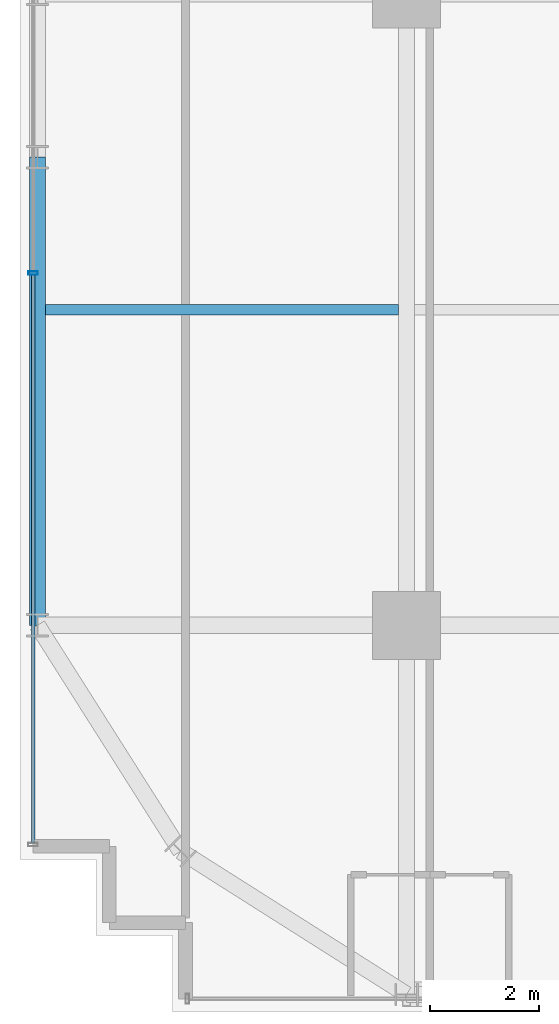
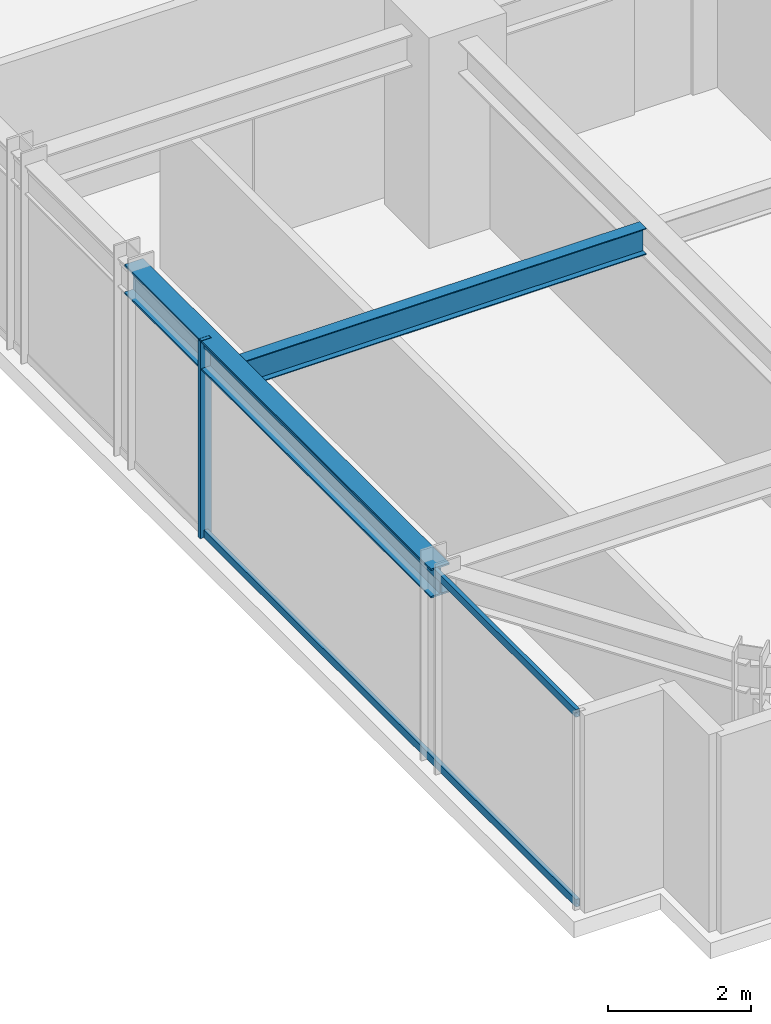
# One storey, part 4 of 34: 3 members, 2 beams, 1 element without a shape of its own.
"""IFC4 building model written with IfcOpenShell, lengths in metres."""

from ifc_helpers import new_model, si_unit, direction, frame, origin, origin_2d, place, context, subcontext, project, spatial, hollow_rectangle, i_section, extrude, source, transform, mapped, material, material_profile, profile_set, type_object, element, aggregate, save


model = new_model("IFC4")

# Units and contexts
model_context = context("Model", 3, precision=1e-05, world=origin(), true_north=direction((0.0, 1.0)))
body_context = subcontext(model_context, "Body", "Model", "MODEL_VIEW")
ifc_project = project(units=[si_unit("LENGTHUNIT", "METRE"), si_unit("AREAUNIT", "SQUARE_METRE"), si_unit("VOLUMEUNIT", "CUBIC_METRE"), si_unit("PLANEANGLEUNIT", "RADIAN"), si_unit("MASSUNIT", "GRAM", prefix="KILO")], contexts=[model_context])

# Site, building, storey
site_placement = place(None, origin())
site = spatial("IfcSite", under=ifc_project, at=site_placement, CompositionType="ELEMENT")
building_placement = place(site_placement, origin())
building = spatial("IfcBuilding", under=site, at=building_placement, Name="Nahalor Promenade Grand Hotel", CompositionType="ELEMENT")
storey_placement = place(building_placement, frame((0.0, 0.0, 128.449951171875)))
storey = spatial("IfcBuildingStorey", under=building, at=storey_placement, Name="L32", CompositionType="ELEMENT", Elevation=128.449951171875)

# Beams
ifc_material_1 = material(Name="Steel S355JR", Category="steel")
ifc_material_profile_1 = material_profile(ifc_material_1, i_section(OverallWidth=0.3, OverallDepth=0.5, WebThickness=0.0145, FlangeThickness=0.028, at=origin_2d()), Name="HEB 500")
ifc_profile_set_1 = profile_set([ifc_material_profile_1], Name="Steel S355JR")
beam_type_1 = type_object("IfcBeamType", Name="Beam-Spandrel-HEB500", PredefinedType="SPANDREL", material=ifc_profile_set_1)
shared_shape_1 = source(origin(), body_context, "Body", "SweptSolid", [
    extrude(i_section(OverallWidth=0.3, OverallDepth=0.5, WebThickness=0.0145, FlangeThickness=0.028, at=origin_2d()), origin(), (0.0, 0.0, 1.0), 8.60009765625),
])
beam_1_placement = place(storey_placement, frame((-23.780029296875, -17.0, 3.130126953125), z_axis=(0.0, 1.0, 0.0), x_axis=(-1.0, 0.0, 0.0)))
element("IfcBeam", 1, at=beam_1_placement, inside=storey, type_object=beam_type_1, Name="BM-L32-SP-W-0", PredefinedType="SPANDREL", context=body_context, shape_type="MappedRepresentation", body=[
    mapped(shared_shape_1, transform((0.0, 0.0, 0.0), scale=1.0)),
])
ifc_material_profile_2 = material_profile(ifc_material_1, i_section(OverallWidth=0.19, OverallDepth=0.45, WebThickness=0.0094, FlangeThickness=0.0146, at=origin_2d()), Name="IPE 450")
ifc_profile_set_2 = profile_set([ifc_material_profile_2], Name="Steel S355JR")
beam_type_2 = type_object("IfcBeamType", Name="Beam-Joist-IPE450", PredefinedType="JOIST", material=ifc_profile_set_2)
shared_shape_2 = source(origin(), body_context, "Body", "SweptSolid", [
    extrude(i_section(OverallWidth=0.19, OverallDepth=0.45, WebThickness=0.0094, FlangeThickness=0.0146, at=origin_2d()), origin(), (0.0, 0.0, 1.0), 6.47998046875),
])
beam_2_placement = place(storey_placement, frame((-23.6298828125, -11.199951171875, 3.155029296875), z_axis=(1.0, 0.0, 0.0), x_axis=(0.0, 1.0, 0.0)))
element("IfcBeam", 2, at=beam_2_placement, inside=storey, type_object=beam_type_2, Name="BM-L32-JSW-0-0", PredefinedType="JOIST", context=body_context, shape_type="MappedRepresentation", body=[
    mapped(shared_shape_2, transform((0.0, 0.0, 0.0), scale=1.0)),
])

# Curtain wall, members
ifc_material_2 = material(Name="Anodised Bronze Aluminium EN AW-6063 T6", Category="aluminium")
curtain_wall_type = type_object("IfcCurtainWallType", Name="CW2 Typical Hotel Flush Bronze Unitised Curtain Wall", PredefinedType="USERDEFINED", material=ifc_material_2)
curtain_wall_placement = place(storey_placement, origin())
curtain_wall = element("IfcCurtainWall", 3, at=curtain_wall_placement, inside=storey, type_object=curtain_wall_type, Name="L32 Curtain Wall CW-L32-W-1", ObjectType="UNITISED_CURTAIN_WALL", PredefinedType="USERDEFINED")
ifc_material_profile_3 = material_profile(ifc_material_2, hollow_rectangle(XDim=0.065, YDim=0.13, WallThickness=0.004, at=origin_2d()), Name="CWT 65x130x4")
ifc_profile_set_3 = profile_set([ifc_material_profile_3], Name="Anodised Bronze Aluminium EN AW-6063 T6")
member_type_1 = type_object("IfcMemberType", Name="CWT2 Typical Bronze Transom 65x130", PredefinedType="USERDEFINED", material=ifc_profile_set_3)
shared_shape_3 = source(origin(), body_context, "Body", "SweptSolid", [
    extrude(hollow_rectangle(XDim=0.065, YDim=0.13, WallThickness=0.004, at=origin_2d()), origin(), (0.0, 0.0, 1.0), 10.4326171875),
])
member_1_placement = place(storey_placement, frame((-23.860107421875, -20.9951171875, 0.06494140625), z_axis=(0.0, 1.0, 0.0), x_axis=(-1.0, 0.0, 0.0)))
member_1 = element("IfcMember", 4, at=member_1_placement, type_object=member_type_1, Name="CW-L32-W-1 Transom 0-0", ObjectType="TRANSOM", PredefinedType="USERDEFINED", context=body_context, shape_type="MappedRepresentation", body=[
    mapped(shared_shape_3, transform((0.0, 0.0, 0.0), scale=1.0)),
])
member_2_placement = place(storey_placement, frame((-23.860107421875, -20.9951171875, 3.31494140625), z_axis=(0.0, 1.0, 0.0), x_axis=(-1.0, 0.0, 0.0)))
member_2 = element("IfcMember", 5, at=member_2_placement, type_object=member_type_1, Name="CW-L32-W-1 Transom 0-1", ObjectType="TRANSOM", PredefinedType="USERDEFINED", context=body_context, shape_type="MappedRepresentation", body=[
    mapped(shared_shape_3, transform((0.0, 0.0, 0.0), scale=1.0)),
])
ifc_material_profile_4 = material_profile(ifc_material_2, hollow_rectangle(XDim=0.065, YDim=0.18, WallThickness=0.004, at=origin_2d()), Name="CWM 65x180x4")
ifc_profile_set_4 = profile_set([ifc_material_profile_4], Name="Anodised Bronze Aluminium EN AW-6063 T6")
member_type_2 = type_object("IfcMemberType", Name="CWM2 Typical Bronze Mullion 65x180", PredefinedType="MULLION", material=ifc_profile_set_4)
shared_shape_4 = source(origin(), body_context, "Body", "SweptSolid", [
    extrude(hollow_rectangle(XDim=0.065, YDim=0.18, WallThickness=0.004, at=origin_2d()), origin(), (0.0, 0.0, 1.0), 3.380126953125),
])
member_3_placement = place(storey_placement, frame((-23.860107421875, -10.530029296875, 0.0), z_axis=(0.0, 0.0, 1.0), x_axis=(0.0, 1.0, 0.0)))
member_3 = element("IfcMember", 6, at=member_3_placement, type_object=member_type_2, Name="CW-L32-W-1 Mullion 1", PredefinedType="MULLION", context=body_context, shape_type="MappedRepresentation", body=[
    mapped(shared_shape_4, transform((0.0, 0.0, 0.0), scale=1.0)),
])
aggregate(curtain_wall, [member_3, member_1, member_2])

save(model, "model.ifc")
